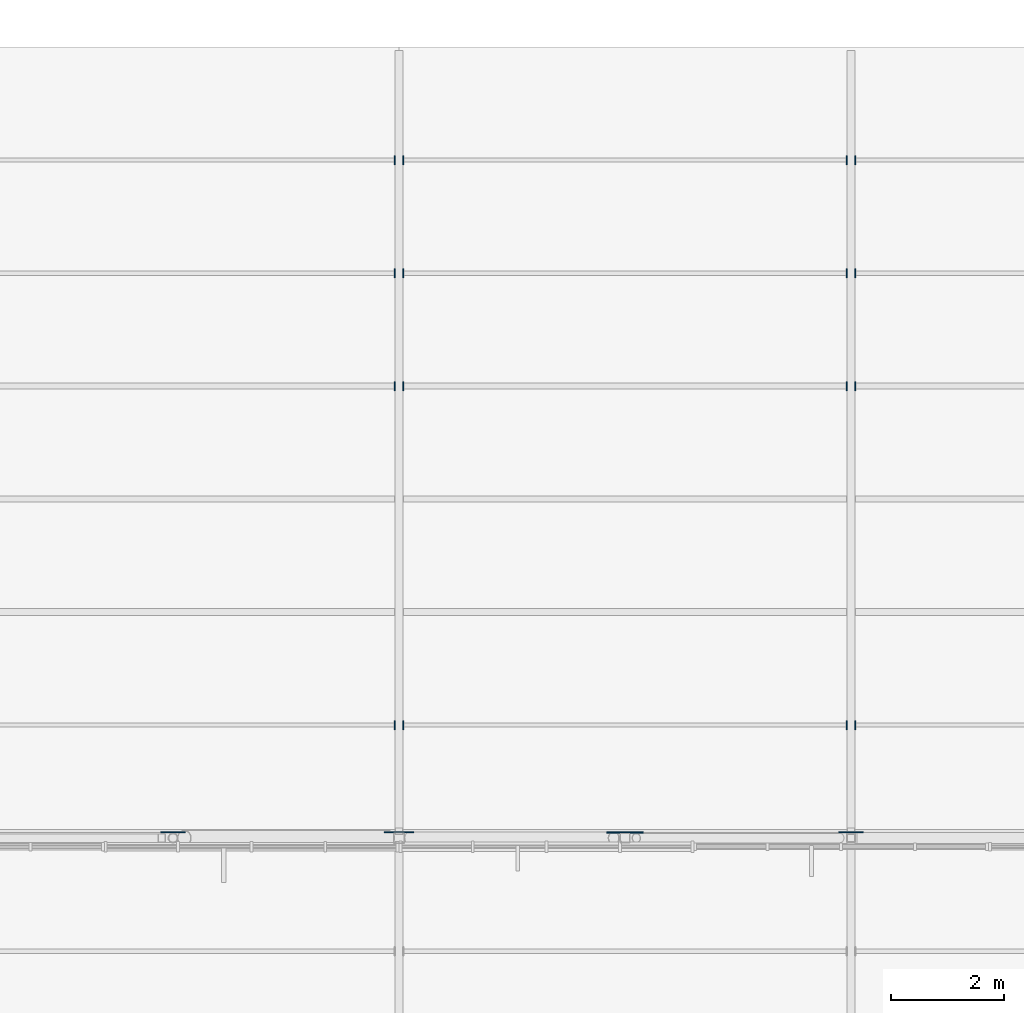
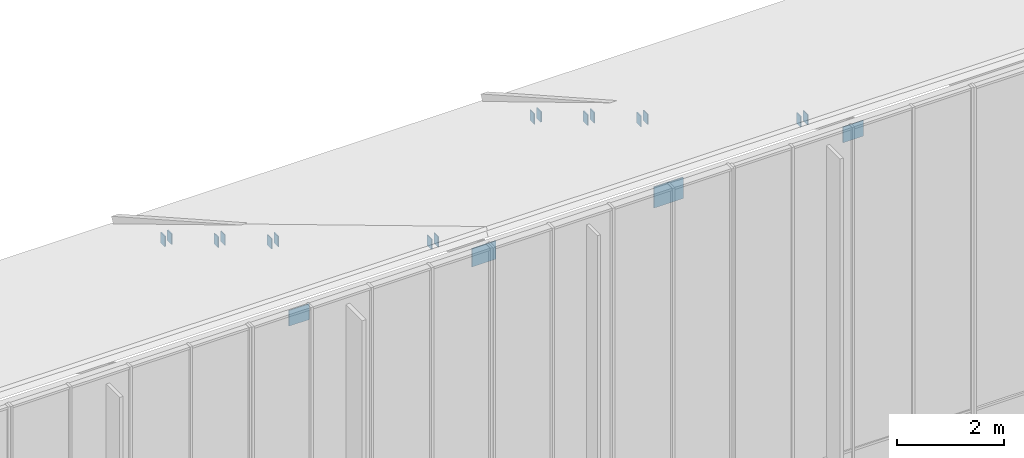
# One storey, part 102 of 155: 20 plates.
"""IFC4 building model written with IfcOpenShell, lengths in metres."""

from ifc_helpers import new_model, si_unit, direction, frame, origin, origin_2d, place, context, subcontext, project, spatial, rectangle, extrude, material, layer, layer_set, type_object, element, save


model = new_model("IFC4")

# Units and contexts
model_context = context("Model", 3, precision=1e-05, world=origin(), true_north=direction((0.0, 1.0)))
body_context = subcontext(model_context, "Body", "Model", "MODEL_VIEW")
ifc_project = project(units=[si_unit("LENGTHUNIT", "METRE"), si_unit("AREAUNIT", "SQUARE_METRE"), si_unit("VOLUMEUNIT", "CUBIC_METRE"), si_unit("PLANEANGLEUNIT", "RADIAN"), si_unit("MASSUNIT", "GRAM", prefix="KILO")], contexts=[model_context])

# Site, building, storey
site_placement = place(None, origin())
site = spatial("IfcSite", under=ifc_project, at=site_placement, CompositionType="ELEMENT")
building_placement = place(site_placement, origin())
building = spatial("IfcBuilding", under=site, at=building_placement, Name="Larkveld Mobility Hub", CompositionType="ELEMENT")
storey_placement = place(building_placement, frame((0.0, 0.0, 8.39990234375)))
storey = spatial("IfcBuildingStorey", under=building, at=storey_placement, Name="L02", CompositionType="ELEMENT", Elevation=8.39990234375)

# Plates
ifc_material = material(Name="Steel S355JR", Category="steel")
ifc_layer_1 = layer(ifc_material, 0.02001953125, Name="Steel S355JR", Category="steel")
ifc_layer_set_1 = layer_set([ifc_layer_1], Name="Steel S355JR")
plate_type_1 = type_object("IfcPlateType", Name="PT-EC02", PredefinedType="USERDEFINED", material=ifc_layer_set_1)
for number, where, z_axis, x_axis, name in (
    (1, (167.927978515625, 114.0, 6.81689453125), (0.0, 0.0, 1.0), (1.0, 0.0, 0.0), "Hollow Purlin End Cap Plate PEC-243"),
    (2, (168.072021484375, 114.0, 6.81689453125), (0.0, 0.0, 1.0), (1.0, 0.0, 0.0), "Hollow Purlin End Cap Plate PEC-244"),
    (3, (175.927978515625, 114.0, 6.81689453125), (0.0, 0.0, 1.0), (1.0, 0.0, 0.0), "Hollow Purlin End Cap Plate PEC-245"),
    (4, (176.072021484375, 114.0, 6.81689453125), (0.0, 0.0, 1.0), (1.0, 0.0, 0.0), "Hollow Purlin End Cap Plate PEC-246"),
    (5, (167.927978515625, 120.0, 3.18701171875), (0.0, 0.0, 1.0), (1.0, 0.0, 0.0), "Hollow Purlin End Cap Plate PEC-251"),
    (6, (168.072021484375, 120.0, 3.18701171875), (0.0, 0.0, 1.0), (1.0, 0.0, 0.0), "Hollow Purlin End Cap Plate PEC-252"),
    (7, (175.927978515625, 120.0, 3.18701171875), (0.0, 0.0, 1.0), (1.0, 0.0, 0.0), "Hollow Purlin End Cap Plate PEC-253"),
    (8, (176.072021484375, 120.0, 3.18701171875), (0.0, 0.0, 1.0), (1.0, 0.0, 0.0), "Hollow Purlin End Cap Plate PEC-254"),
    (9, (167.927978515625, 122.0, 2.00732421875), (0.0, 0.0, 1.0), (1.0, 0.0, 0.0), "Hollow Purlin End Cap Plate PEC-259"),
    (10, (168.072021484375, 122.0, 2.00732421875), (0.0, 0.0, 1.0), (1.0, 0.0, 0.0), "Hollow Purlin End Cap Plate PEC-260"),
    (11, (175.927978515625, 122.0, 2.00732421875), (0.0, 0.0, 1.0), (1.0, 0.0, 0.0), "Hollow Purlin End Cap Plate PEC-261"),
    (12, (176.072021484375, 122.0, 2.00732421875), (0.0, 0.0, 1.0), (1.0, 0.0, 0.0), "Hollow Purlin End Cap Plate PEC-262"),
    (13, (167.927978515625, 124.0, 0.81689453125), (0.0, 0.0, 1.0), (1.0, 0.0, 0.0), "Hollow Purlin End Cap Plate PEC-267"),
    (14, (168.072021484375, 124.0, 0.81689453125), (0.0, 0.0, 1.0), (1.0, 0.0, 0.0), "Hollow Purlin End Cap Plate PEC-268"),
    (15, (175.927978515625, 124.0, 0.81689453125), (0.0, 0.0, 1.0), (1.0, 0.0, 0.0), "Hollow Purlin End Cap Plate PEC-269"),
    (16, (176.072021484375, 124.0, 0.81689453125), (0.0, 0.0, 1.0), (1.0, 0.0, 0.0), "Hollow Purlin End Cap Plate PEC-270"),
):
    element("IfcPlate", number, at=place(storey_placement, frame(where, z_axis=z_axis, x_axis=x_axis)), inside=storey, type_object=plate_type_1, Name=name, ObjectType="GUSSET PLATE", PredefinedType="USERDEFINED", context=body_context, shape_type="SweptSolid", body=[
        extrude(rectangle(XDim=0.02001953125, YDim=0.159912109375, at=origin_2d()), origin(), (0.0, 0.0, 1.0), 0.239990234375),
    ])
ifc_layer_2 = layer(ifc_material, 0.02001953125, Name="Steel S355JR", Category="steel")
ifc_layer_set_2 = layer_set([ifc_layer_2], Name="Steel S355JR")
plate_type_2 = type_object("IfcPlateType", Name="PT-GS01", PredefinedType="USERDEFINED", material=ifc_layer_set_2)
plate_1_placement = place(storey_placement, frame((168.0, 112.10009765625, 7.590087890625), z_axis=(0.0, 0.0, 1.0), x_axis=(1.0, 0.0, 0.0)))
element("IfcPlate", 17, at=plate_1_placement, inside=storey, type_object=plate_type_2, Name="Truss Node Gusset Plate TN-058", ObjectType="GUSSET PLATE", PredefinedType="USERDEFINED", context=body_context, shape_type="SweptSolid", body=[
    extrude(rectangle(XDim=0.52001953125, YDim=0.02001953125, at=origin_2d()), origin(), (0.0, 0.0, 1.0), 0.419921875),
])
ifc_layer_3 = layer(ifc_material, 0.02392578125, Name="Steel S355JR", Category="steel")
ifc_layer_set_3 = layer_set([ifc_layer_3], Name="Steel S355JR")
plate_type_3 = type_object("IfcPlateType", Name="PT-GS02", PredefinedType="USERDEFINED", material=ifc_layer_set_3)
plate_2_placement = place(storey_placement, frame((172.0, 112.10009765625, 7.56005859375), z_axis=(0.0, 0.0, 1.0), x_axis=(1.0, 0.0, 0.0)))
element("IfcPlate", 18, at=plate_2_placement, inside=storey, type_object=plate_type_3, Name="Truss Node Gusset Plate TN-059", ObjectType="GUSSET PLATE", PredefinedType="USERDEFINED", context=body_context, shape_type="SweptSolid", body=[
    extrude(rectangle(XDim=0.639892578125, YDim=0.02392578125, at=origin_2d()), origin(), (0.0, 0.0, 1.0), 0.47998046875),
])
ifc_layer_4 = layer(ifc_material, 0.01806640625, Name="Steel S355JR", Category="steel")
ifc_layer_set_4 = layer_set([ifc_layer_4], Name="Steel S355JR")
plate_type_4 = type_object("IfcPlateType", Name="PT-GS03", PredefinedType="USERDEFINED", material=ifc_layer_set_4)
for number, where, z_axis, x_axis, name in (
    (19, (164.0, 112.10009765625, 7.6201171875), (0.0, 0.0, 1.0), (1.0, 0.0, 0.0), "Truss Node Gusset Plate TN-057"),
    (20, (176.0, 112.10009765625, 7.6201171875), (0.0, 0.0, 1.0), (1.0, 0.0, 0.0), "Truss Node Gusset Plate TN-060"),
):
    element("IfcPlate", number, at=place(storey_placement, frame(where, z_axis=z_axis, x_axis=x_axis)), inside=storey, type_object=plate_type_4, Name=name, ObjectType="GUSSET PLATE", PredefinedType="USERDEFINED", context=body_context, shape_type="SweptSolid", body=[
        extrude(rectangle(XDim=0.43994140625, YDim=0.01806640625, at=origin_2d()), origin(), (0.0, 0.0, 1.0), 0.360107421875),
    ])

save(model, "model.ifc")
